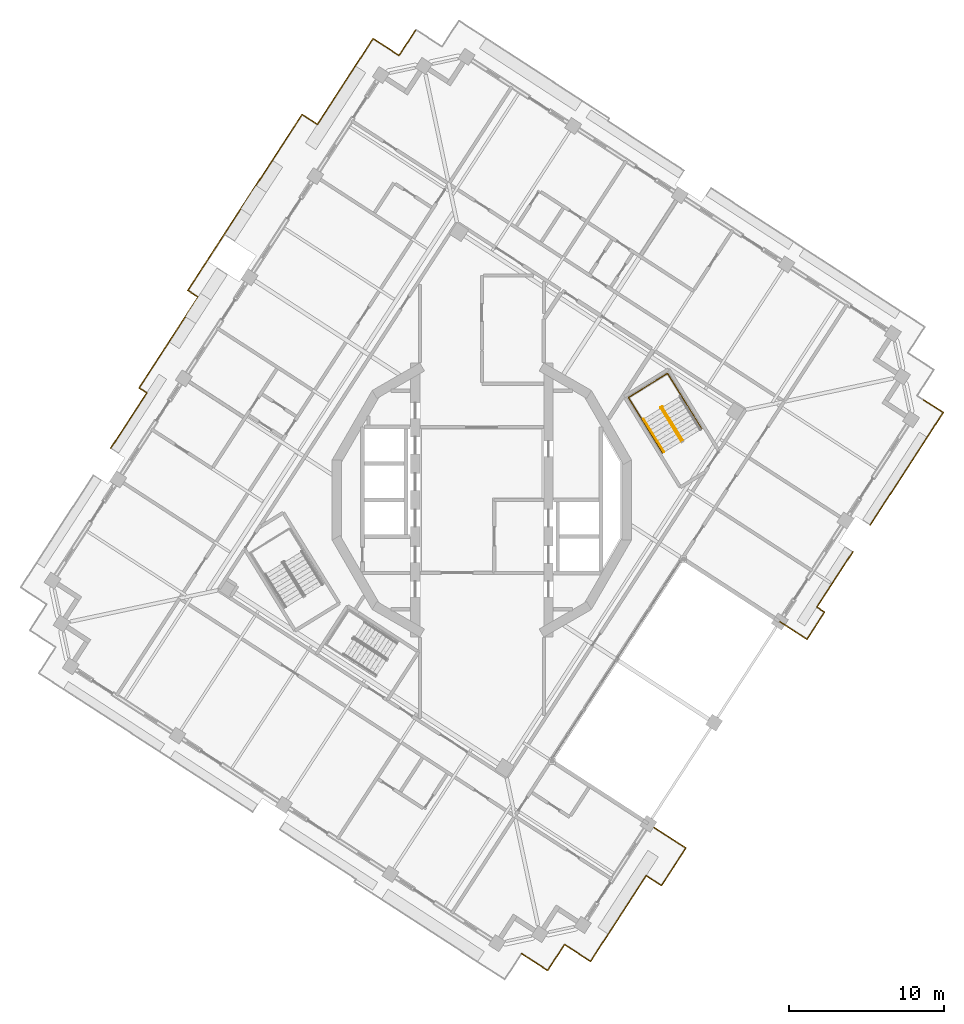
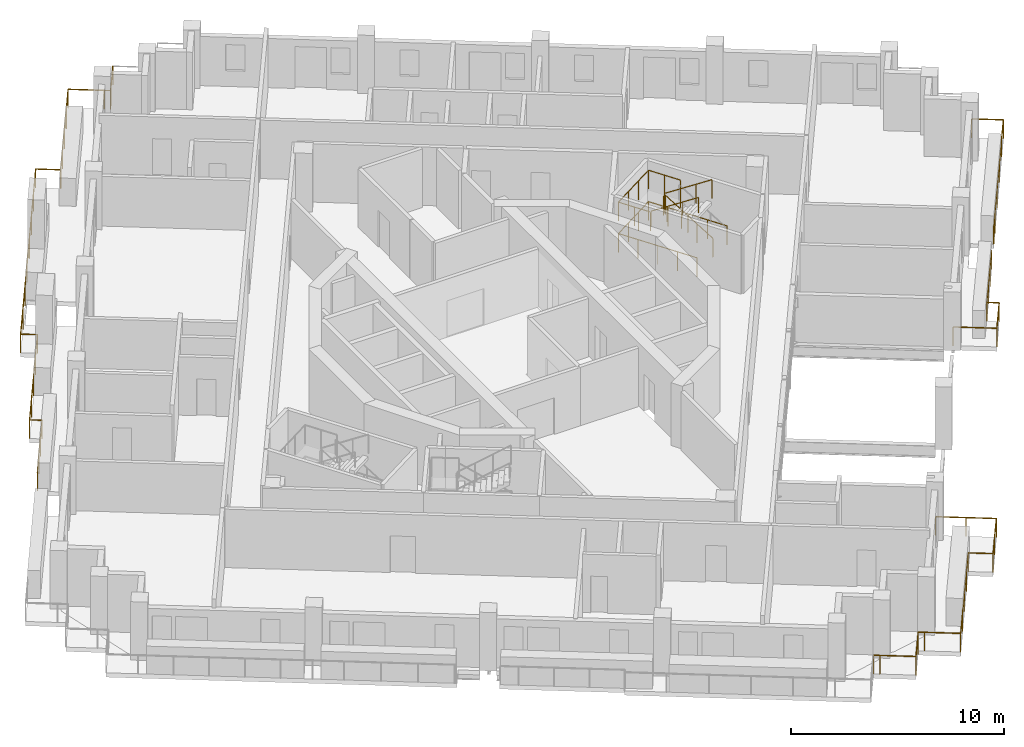
# One storey, part 14 of 17: 10 railings.
"""IFC4 building model written with IfcOpenShell, lengths in metres."""

import ifcopenshell
import ifcopenshell.guid

model = None  # the IFC model being written
_history = None  # IfcOwnerHistory: only IFC2X3 demands one
_inside = {}  # id of a spatial element -> (the spatial element, [elements in it])
_under = {}  # id of a project, library or spatial element -> (it, [spatial elements below it])
_declared = {}  # id of a project -> (the project, [libraries it declares])
_typed = {}  # id of a type object -> (the type object, [elements of that type])
_made_of = {}  # id of a material, layer set ... -> (it, [elements and type objects made of it])


def new_model(schema):
    """Start an empty IFC model of exactly this schema.

    Asked for "IFC4X3", IfcOpenShell would pick the latest addendum, in which some entities
    have other attributes; the version numbers below select the first issue.
    IFC2X3 requires an IfcOwnerHistory on every rooted entity: one is made here for all.
    """
    global model, _history
    if schema == "IFC4X3":
        model = ifcopenshell.file(schema_version=(4, 3, 0, 0))
    else:
        model = ifcopenshell.file(schema=schema)
    _inside.clear()
    _under.clear()
    _declared.clear()
    _typed.clear()
    _made_of.clear()
    _history = None
    if model.schema == "IFC2X3":
        org = make("IfcOrganization", Name="unknown")
        user = make(
            "IfcPersonAndOrganization",
            ThePerson=make("IfcPerson", FamilyName="unknown"),
            TheOrganization=org,
        )
        app = make(
            "IfcApplication",
            ApplicationDeveloper=org,
            Version="unknown",
            ApplicationFullName="unknown",
            ApplicationIdentifier="unknown",
        )
        _history = make(
            "IfcOwnerHistory",
            OwningUser=user,
            OwningApplication=app,
            ChangeAction="ADDED",
            CreationDate=0,
        )
    return model


def make(cls, **values):
    """One entity of the class cls with the attributes given. An attribute that is None is left unset."""
    return model.create_entity(
        cls, **{name: value for name, value in values.items() if value is not None}
    )


def rooted(cls, **values):
    """An entity with a GlobalId (a new one), such as an element, a storey or a relation."""
    return make(cls, GlobalId=ifcopenshell.guid.new(), OwnerHistory=_history, **values)


def si_unit(unit_type, name, prefix=None):
    """IfcSIUnit, for example si_unit("LENGTHUNIT", "METRE", prefix="MILLI")."""
    return make("IfcSIUnit", UnitType=unit_type, Prefix=prefix, Name=name)


def assignment(units):
    """IfcUnitAssignment: the units of a project."""
    return None if units is None else make("IfcUnitAssignment", Units=units)


def point(xyz):
    """IfcCartesianPoint."""
    return None if xyz is None else make("IfcCartesianPoint", Coordinates=xyz)


def direction(xyz):
    """IfcDirection."""
    return None if xyz is None else make("IfcDirection", DirectionRatios=xyz)


def frame(location, z_axis=None, x_axis=None):
    """IfcAxis2Placement3D, a coordinate frame: its origin and axes. An axis left out is left unset."""
    return make(
        "IfcAxis2Placement3D",
        Location=point(location),
        Axis=direction(z_axis),
        RefDirection=direction(x_axis),
    )


def frame_2d(location, x_axis=None):
    """IfcAxis2Placement2D, a coordinate frame in the plane: its origin and x axis."""
    return make(
        "IfcAxis2Placement2D", Location=point(location), RefDirection=direction(x_axis)
    )


def origin():
    """The frame at (0, 0, 0) with its axes left unset."""
    return frame((0.0, 0.0, 0.0))


def origin_2d():
    """The frame at (0, 0) in the plane with its x axis left unset."""
    return frame_2d((0.0, 0.0))


def place(relative_to, where):
    """IfcLocalPlacement: puts the frame where relative to a parent placement (None: the world)."""
    return make(
        "IfcLocalPlacement", PlacementRelTo=relative_to, RelativePlacement=where
    )


def context(
    kind, dimensions, precision=None, world=None, true_north=None, identifier=None
):
    """IfcGeometricRepresentationContext, for example the 3D "Model" context."""
    return make(
        "IfcGeometricRepresentationContext",
        ContextIdentifier=identifier,
        ContextType=kind,
        CoordinateSpaceDimension=dimensions,
        Precision=precision,
        WorldCoordinateSystem=world,
        TrueNorth=true_north,
    )


def subcontext(parent, identifier, kind, view, scale=None):
    """IfcGeometricRepresentationSubContext, for example "Body" below "Model"."""
    return make(
        "IfcGeometricRepresentationSubContext",
        ContextIdentifier=identifier,
        ContextType=kind,
        ParentContext=parent,
        TargetScale=scale,
        TargetView=view,
    )


def project(units=None, contexts=None):
    """IfcProject with its units and contexts."""
    return rooted(
        "IfcProject",
        Name="project",
        RepresentationContexts=contexts,
        UnitsInContext=assignment(units),
    )


def spatial(cls, under=None, at=None, **own):
    """A site, building, storey or space (cls), placed at a placement, below another one or the project."""
    s = rooted(cls, ObjectPlacement=at, **own)
    if under is not None:
        _under.setdefault(under.id(), (under, []))[1].append(s)
    return s


def profile(cls, at=None, kind="AREA", **sizes):
    """A parametric profile (cls). Its sizes go by their IFC names, for example OverallWidth=200.0."""
    return make(cls, ProfileType=kind, Position=at, **sizes)


def circle(**sizes):
    """IfcCircleProfileDef."""
    return profile("IfcCircleProfileDef", **sizes)


def extrude(swept, where, along, depth):
    """IfcExtrudedAreaSolid: the profile swept, set in the frame where, extruded along a direction by depth."""
    return make(
        "IfcExtrudedAreaSolid",
        SweptArea=swept,
        Position=where,
        ExtrudedDirection=direction(along),
        Depth=depth,
    )


def shape(context_of_items, identifier, shape_type, items):
    """IfcShapeRepresentation: the items that make up one representation, for example the "Body"."""
    return make(
        "IfcShapeRepresentation",
        ContextOfItems=context_of_items,
        RepresentationIdentifier=identifier,
        RepresentationType=shape_type,
        Items=items,
    )


def material(Name=None, Category=None):
    """IfcMaterial."""
    return make("IfcMaterial", Name=Name, Category=Category)


def made_of(thing, what):
    """Note that an element or type object is made of a material, layer set ...; save() writes the relation."""
    if what is not None:
        _made_of.setdefault(what.id(), (what, []))[1].append(thing)
    return thing


def type_object(cls, material=None, **own):
    """A type object (cls), such as IfcWallType, which elements share."""
    return made_of(rooted(cls, **own), material)


def element(
    cls,
    number,
    at=None,
    inside=None,
    cuts=None,
    type_object=None,
    material=None,
    context=None,
    identifier="Body",
    shape_type=None,
    held_by="IfcProductDefinitionShape",
    body=None,
    shapes=None,
    **own,
):
    """One element of the class cls, such as IfcWall. Its Tag is "e" and its number.

    at: its placement. inside: the storey or other place that contains it. cuts: it is an
    opening in that element (IfcRelVoidsElement). A single representation is given by context,
    identifier, shape_type and body (its items); several are given by shapes. held_by: the class
    of the entity that holds the representations. save() writes the other relations.
    """
    e = rooted(cls, Tag="e%d" % number, ObjectPlacement=at, **own)
    if body is not None:
        shapes = [shape(context, identifier, shape_type, body)]
    if shapes is not None:
        e.Representation = make(held_by, Representations=shapes)
    if inside is not None:
        _inside.setdefault(inside.id(), (inside, []))[1].append(e)
    if cuts is not None:
        rooted(
            "IfcRelVoidsElement", RelatingBuildingElement=cuts, RelatedOpeningElement=e
        )
    if type_object is not None:
        _typed.setdefault(type_object.id(), (type_object, []))[1].append(e)
    return made_of(e, material)


def aggregate(whole, parts):
    """IfcRelAggregates: a whole, such as a stair, and the parts it consists of."""
    return rooted("IfcRelAggregates", RelatingObject=whole, RelatedObjects=parts)


def save(model, path):
    """Write the relations noted so far, then the file.

    IfcRelAggregates (storeys below a building ...), IfcRelContainedInSpatialStructure (elements
    in a storey), IfcRelDefinesByType, IfcRelAssociatesMaterial and IfcRelDeclares: one each for
    every whole, place, type object, material and project.
    """
    for whole, parts in _under.values():
        aggregate(whole, parts)
    for where, things in _inside.values():
        rooted(
            "IfcRelContainedInSpatialStructure",
            RelatedElements=things,
            RelatingStructure=where,
        )
    for kind, things in _typed.values():
        rooted("IfcRelDefinesByType", RelatedObjects=things, RelatingType=kind)
    for what, things in _made_of.values():
        rooted("IfcRelAssociatesMaterial", RelatedObjects=things, RelatingMaterial=what)
    for by, libraries in _declared.values():
        rooted("IfcRelDeclares", RelatingContext=by, RelatedDefinitions=libraries)
    model.write(path)


model = new_model("IFC4")

# Units and contexts
model_context = context("Model", 3, precision=1e-05, world=origin(), true_north=direction((0.0, 1.0)))
body_context = subcontext(model_context, "Body", "Model", "MODEL_VIEW")
ifc_project = project(units=[si_unit("LENGTHUNIT", "METRE"), si_unit("AREAUNIT", "SQUARE_METRE"), si_unit("VOLUMEUNIT", "CUBIC_METRE"), si_unit("PLANEANGLEUNIT", "RADIAN"), si_unit("MASSUNIT", "GRAM", prefix="KILO")], contexts=[model_context])

# Site, building, storey
site_placement = place(None, origin())
site = spatial("IfcSite", under=ifc_project, at=site_placement, CompositionType="ELEMENT")
building_placement = place(site_placement, origin())
building = spatial("IfcBuilding", under=site, at=building_placement, Name="Cantera Rosa Tower", CompositionType="ELEMENT")
storey_placement = place(building_placement, frame((0.0, 0.0, 257.699951171875)))
storey = spatial("IfcBuildingStorey", under=building, at=storey_placement, Name="L57", CompositionType="ELEMENT", Elevation=257.699951171875)

# Railings
ifc_material_1 = material(Name="Stainless steel and laminated glass", Category="steel")
railing_type_1 = type_object("IfcRailingType", Name="GUARD 1100", PredefinedType="BALUSTRADE", material=ifc_material_1)
railing_1_placement = place(storey_placement, frame((10.769775390625, -20.908935546875, 0.0)))
element("IfcRailing", 1, at=railing_1_placement, inside=storey, type_object=railing_type_1, Name="GUARD L57-2", PredefinedType="BALUSTRADE", context=body_context, shape_type="SweptSolid", body=[
    extrude(circle(Radius=0.030029296875, at=origin_2d()), frame((0.0, 0.0, 1.070068359375), z_axis=(0.838652354322, -0.544667080509, 0.0), x_axis=(0.544667080509, 0.838652354322, 0.0)), (0.0, 0.0, 1.0), 2.8583984375),
    extrude(circle(Radius=0.030029296875, at=origin_2d()), frame((2.397216796875, -1.556884765625, 1.070068359375), z_axis=(-0.544618614837, -0.838683828611, 0.0), x_axis=(0.838683828611, -0.544618614837, 0.0)), (0.0, 0.0, 1.0), 2.87841796875),
    extrude(circle(Radius=0.030029296875, at=origin_2d()), frame((0.82958984375, -3.970947265625, 1.070068359375), z_axis=(-0.838713269942, 0.544573274062, 0.0), x_axis=(-0.544573274062, -0.838713269942, 0.0)), (0.0, 0.0, 1.0), 1.1787109375),
    extrude(circle(Radius=0.030029296875, at=origin_2d()), frame((-0.158935546875, -3.3291015625, 1.070068359375), z_axis=(-0.544636384681, -0.838672289087, 0.0), x_axis=(0.838672289087, -0.544636384681, 0.0)), (0.0, 0.0, 1.0), 4.9013671875),
    extrude(circle(Radius=0.030029296875, at=origin_2d()), frame((-2.828369140625, -7.439697265625, 1.070068359375), z_axis=(-0.544584451758, -0.838706012202, 0.0), x_axis=(0.838706012202, -0.544584451758, 0.0)), (0.0, 0.0, 1.0), 1.699951171875),
    extrude(circle(Radius=0.030029296875, at=origin_2d()), frame((-3.754150390625, -8.865478515625, 1.070068359375), z_axis=(-0.838706012202, 0.544584451758, 0.0), x_axis=(-0.544584451758, -0.838706012202, 0.0)), (0.0, 0.0, 1.0), 1.699951171875),
    extrude(circle(Radius=0.030029296875, at=origin_2d()), frame((-5.179931640625, -7.939697265625, 1.070068359375), z_axis=(-0.838499355694, 0.544902588084, 0.0), x_axis=(-0.544902588084, -0.838499355694, 0.0)), (0.0, 0.0, 1.0), 0.30029296875),
    extrude(circle(Radius=0.030029296875, at=origin_2d()), frame((-5.431640625, -7.776123046875, 1.070068359375), z_axis=(-0.5443304008, -0.838870916629, 0.0), x_axis=(0.838870916629, -0.5443304008, 0.0)), (0.0, 0.0, 1.0), 0.300048828125),
    extrude(circle(Radius=0.030029296875, at=origin_2d()), frame((-5.594970703125, -8.02783203125, 1.070068359375), z_axis=(-0.544685462014, -0.838640416073, 0.0), x_axis=(0.838640416073, -0.544685462014, 0.0)), (0.0, 0.0, 1.0), 1.7001953125),
    extrude(circle(Radius=0.030029296875, at=origin_2d()), frame((-6.52099609375, -9.45361328125, 1.070068359375), z_axis=(-0.83859780397, 0.544751065329, 0.0), x_axis=(-0.544751065329, -0.83859780397, 0.0)), (0.0, 0.0, 1.0), 1.699951171875),
    extrude(circle(Radius=0.030029296875, at=origin_2d()), frame((-7.946533203125, -8.527587890625, 1.070068359375), z_axis=(-0.838870916629, 0.5443304008, 0.0), x_axis=(-0.5443304008, -0.838870916629, 0.0)), (0.0, 0.0, 1.0), 0.300048828125),
    extrude(circle(Radius=0.02490234375, at=origin_2d()), origin(), (0.0, 0.0, 1.0), 1.0400390625),
    extrude(circle(Radius=0.02490234375, at=origin_2d()), frame((1.19873046875, -0.7783203125, 0.0)), (0.0, 0.0, 1.0), 1.0400390625),
    extrude(circle(Radius=0.02490234375, at=origin_2d()), frame((2.397216796875, -1.556884765625, 0.0)), (0.0, 0.0, 1.0), 1.0400390625),
    extrude(circle(Radius=0.02490234375, at=origin_2d()), frame((1.61328125, -2.763916015625, 0.0)), (0.0, 0.0, 1.0), 1.0400390625),
    extrude(circle(Radius=0.02490234375, at=origin_2d()), frame((0.82958984375, -3.970947265625, 0.0)), (0.0, 0.0, 1.0), 1.0400390625),
    extrude(circle(Radius=0.02490234375, at=origin_2d()), frame((-0.158935546875, -3.3291015625, 0.0)), (0.0, 0.0, 1.0), 1.0400390625),
    extrude(circle(Radius=0.02490234375, at=origin_2d()), frame((-1.048828125, -4.69921875, 0.0)), (0.0, 0.0, 1.0), 1.0400390625),
    extrude(circle(Radius=0.02490234375, at=origin_2d()), frame((-1.9384765625, -6.069580078125, 0.0)), (0.0, 0.0, 1.0), 1.0400390625),
    extrude(circle(Radius=0.02490234375, at=origin_2d()), frame((-2.828369140625, -7.439697265625, 0.0)), (0.0, 0.0, 1.0), 1.0400390625),
    extrude(circle(Radius=0.02490234375, at=origin_2d()), frame((-3.754150390625, -8.865478515625, 0.0)), (0.0, 0.0, 1.0), 1.0400390625),
    extrude(circle(Radius=0.02490234375, at=origin_2d()), frame((-5.179931640625, -7.939697265625, 0.0)), (0.0, 0.0, 1.0), 1.0400390625),
    extrude(circle(Radius=0.02490234375, at=origin_2d()), frame((-5.431640625, -7.776123046875, 0.0)), (0.0, 0.0, 1.0), 1.0400390625),
    extrude(circle(Radius=0.02490234375, at=origin_2d()), frame((-5.594970703125, -8.02783203125, 0.0)), (0.0, 0.0, 1.0), 1.0400390625),
    extrude(circle(Radius=0.02490234375, at=origin_2d()), frame((-6.52099609375, -9.45361328125, 0.0)), (0.0, 0.0, 1.0), 1.0400390625),
    extrude(circle(Radius=0.02490234375, at=origin_2d()), frame((-7.946533203125, -8.527587890625, 0.0)), (0.0, 0.0, 1.0), 1.0400390625),
    extrude(circle(Radius=0.02490234375, at=origin_2d()), frame((-8.1982421875, -8.3642578125, 0.0)), (0.0, 0.0, 1.0), 1.0400390625),
])
railing_2_placement = place(storey_placement, frame((-23.945556640625, 3.340576171875, 0.0)))
element("IfcRailing", 2, at=railing_2_placement, inside=storey, type_object=railing_type_1, Name="GUARD L57-6", PredefinedType="BALUSTRADE", context=body_context, shape_type="SweptSolid", body=[
    extrude(circle(Radius=0.030029296875, at=origin_2d()), frame((0.0, 0.0, 1.070068359375), z_axis=(0.544623762795, 0.838680485643, 0.0), x_axis=(-0.838680485643, 0.544623762795, 0.0)), (0.0, 0.0, 1.0), 4.2607421875),
    extrude(circle(Radius=0.030029296875, at=origin_2d()), frame((2.320556640625, 3.573486328125, 1.070068359375), z_axis=(-0.838643050361, 0.544681406035, 0.0), x_axis=(-0.544681406035, -0.838643050361, 0.0)), (0.0, 0.0, 1.0), 0.587158203125),
    extrude(circle(Radius=0.030029296875, at=origin_2d()), frame((1.828125, 3.893310546875, 1.070068359375), z_axis=(0.544642131543, 0.838668557029, 0.0), x_axis=(-0.838668557029, 0.544642131543, 0.0)), (0.0, 0.0, 1.0), 6.990478515625),
    extrude(circle(Radius=0.030029296875, at=origin_2d()), frame((5.635498046875, 9.756103515625, 1.070068359375), z_axis=(-0.838697885351, 0.54459696759, 0.0), x_axis=(-0.54459696759, -0.838697885351, 0.0)), (0.0, 0.0, 1.0), 0.78955078125),
    extrude(circle(Radius=0.030029296875, at=origin_2d()), frame((4.973388671875, 10.18603515625, 1.070068359375), z_axis=(0.54463394438, 0.83867387382, 0.0), x_axis=(-0.83867387382, 0.54463394438, 0.0)), (0.0, 0.0, 1.0), 13.537109375),
    extrude(circle(Radius=0.030029296875, at=origin_2d()), frame((12.34619140625, 21.539306640625, 1.070068359375), z_axis=(0.838713269942, -0.544573274062, 0.0), x_axis=(0.544573274062, 0.838713269942, 0.0)), (0.0, 0.0, 1.0), 1.1787109375),
    extrude(circle(Radius=0.030029296875, at=origin_2d()), frame((13.334716796875, 20.8974609375, 1.070068359375), z_axis=(0.544636384681, 0.838672289087, 0.0), x_axis=(-0.838672289087, 0.544636384681, 0.0)), (0.0, 0.0, 1.0), 4.9013671875),
    extrude(circle(Radius=0.030029296875, at=origin_2d()), frame((16.004150390625, 25.008056640625, 1.070068359375), z_axis=(0.544584451758, 0.838706012202, 0.0), x_axis=(-0.838706012202, 0.544584451758, 0.0)), (0.0, 0.0, 1.0), 1.699951171875),
    extrude(circle(Radius=0.030029296875, at=origin_2d()), frame((16.929931640625, 26.433837890625, 1.070068359375), z_axis=(0.838706012202, -0.544584451758, 0.0), x_axis=(0.544584451758, 0.838706012202, 0.0)), (0.0, 0.0, 1.0), 1.699951171875),
    extrude(circle(Radius=0.030029296875, at=origin_2d()), frame((18.355712890625, 25.508056640625, 1.070068359375), z_axis=(0.838499355694, -0.544902588084, 0.0), x_axis=(0.544902588084, 0.838499355694, 0.0)), (0.0, 0.0, 1.0), 0.30029296875),
    extrude(circle(Radius=0.030029296875, at=origin_2d()), frame((18.607421875, 25.344482421875, 1.070068359375), z_axis=(0.5443304008, 0.838870916629, 0.0), x_axis=(-0.838870916629, 0.5443304008, 0.0)), (0.0, 0.0, 1.0), 0.300048828125),
    extrude(circle(Radius=0.030029296875, at=origin_2d()), frame((18.770751953125, 25.59619140625, 1.070068359375), z_axis=(0.544685462014, 0.838640416073, 0.0), x_axis=(-0.838640416073, 0.544685462014, 0.0)), (0.0, 0.0, 1.0), 1.7001953125),
    extrude(circle(Radius=0.02490234375, at=origin_2d()), origin(), (0.0, 0.0, 1.0), 1.0400390625),
    extrude(circle(Radius=0.02490234375, at=origin_2d()), frame((0.7734375, 1.191162109375, 0.0)), (0.0, 0.0, 1.0), 1.0400390625),
    extrude(circle(Radius=0.02490234375, at=origin_2d()), frame((1.547119140625, 2.38232421875, 0.0)), (0.0, 0.0, 1.0), 1.0400390625),
    extrude(circle(Radius=0.02490234375, at=origin_2d()), frame((2.320556640625, 3.573486328125, 0.0)), (0.0, 0.0, 1.0), 1.0400390625),
    extrude(circle(Radius=0.02490234375, at=origin_2d()), frame((1.828125, 3.893310546875, 0.0)), (0.0, 0.0, 1.0), 1.0400390625),
    extrude(circle(Radius=0.02490234375, at=origin_2d()), frame((2.780029296875, 5.35888671875, 0.0)), (0.0, 0.0, 1.0), 1.0400390625),
    extrude(circle(Radius=0.02490234375, at=origin_2d()), frame((3.73193359375, 6.82470703125, 0.0)), (0.0, 0.0, 1.0), 1.0400390625),
    extrude(circle(Radius=0.02490234375, at=origin_2d()), frame((4.68359375, 8.29052734375, 0.0)), (0.0, 0.0, 1.0), 1.0400390625),
    extrude(circle(Radius=0.02490234375, at=origin_2d()), frame((5.635498046875, 9.756103515625, 0.0)), (0.0, 0.0, 1.0), 1.0400390625),
    extrude(circle(Radius=0.02490234375, at=origin_2d()), frame((4.973388671875, 10.18603515625, 0.0)), (0.0, 0.0, 1.0), 1.0400390625),
    extrude(circle(Radius=0.02490234375, at=origin_2d()), frame((6.026611328125, 11.807861328125, 0.0)), (0.0, 0.0, 1.0), 1.0400390625),
    extrude(circle(Radius=0.02490234375, at=origin_2d()), frame((7.079833984375, 13.429931640625, 0.0)), (0.0, 0.0, 1.0), 1.0400390625),
    extrude(circle(Radius=0.02490234375, at=origin_2d()), frame((8.133056640625, 15.0517578125, 0.0)), (0.0, 0.0, 1.0), 1.0400390625),
    extrude(circle(Radius=0.02490234375, at=origin_2d()), frame((9.1865234375, 16.673583984375, 0.0)), (0.0, 0.0, 1.0), 1.0400390625),
    extrude(circle(Radius=0.02490234375, at=origin_2d()), frame((10.23974609375, 18.29541015625, 0.0)), (0.0, 0.0, 1.0), 1.0400390625),
    extrude(circle(Radius=0.02490234375, at=origin_2d()), frame((11.29296875, 19.91748046875, 0.0)), (0.0, 0.0, 1.0), 1.0400390625),
    extrude(circle(Radius=0.02490234375, at=origin_2d()), frame((12.34619140625, 21.539306640625, 0.0)), (0.0, 0.0, 1.0), 1.0400390625),
    extrude(circle(Radius=0.02490234375, at=origin_2d()), frame((13.334716796875, 20.8974609375, 0.0)), (0.0, 0.0, 1.0), 1.0400390625),
    extrude(circle(Radius=0.02490234375, at=origin_2d()), frame((14.224609375, 22.267578125, 0.0)), (0.0, 0.0, 1.0), 1.0400390625),
    extrude(circle(Radius=0.02490234375, at=origin_2d()), frame((15.1142578125, 23.637939453125, 0.0)), (0.0, 0.0, 1.0), 1.0400390625),
    extrude(circle(Radius=0.02490234375, at=origin_2d()), frame((16.004150390625, 25.008056640625, 0.0)), (0.0, 0.0, 1.0), 1.0400390625),
    extrude(circle(Radius=0.02490234375, at=origin_2d()), frame((16.929931640625, 26.433837890625, 0.0)), (0.0, 0.0, 1.0), 1.0400390625),
    extrude(circle(Radius=0.02490234375, at=origin_2d()), frame((18.355712890625, 25.508056640625, 0.0)), (0.0, 0.0, 1.0), 1.0400390625),
    extrude(circle(Radius=0.02490234375, at=origin_2d()), frame((18.607421875, 25.344482421875, 0.0)), (0.0, 0.0, 1.0), 1.0400390625),
    extrude(circle(Radius=0.02490234375, at=origin_2d()), frame((18.770751953125, 25.59619140625, 0.0)), (0.0, 0.0, 1.0), 1.0400390625),
    extrude(circle(Radius=0.02490234375, at=origin_2d()), frame((19.69677734375, 27.02197265625, 0.0)), (0.0, 0.0, 1.0), 1.0400390625),
])
railing_3_placement = place(storey_placement, frame((22.117431640625, -7.23388671875, 0.0)))
element("IfcRailing", 3, at=railing_3_placement, inside=storey, type_object=railing_type_1, Name="GUARD L57-7", PredefinedType="BALUSTRADE", context=body_context, shape_type="SweptSolid", body=[
    extrude(circle(Radius=0.030029296875, at=origin_2d()), frame((0.0, 0.0, 1.070068359375), z_axis=(-0.54457341618, -0.838713177666, 0.0), x_axis=(0.838713177666, -0.54457341618, 0.0)), (0.0, 0.0, 1.0), 2.089111328125),
    extrude(circle(Radius=0.030029296875, at=origin_2d()), frame((-1.1376953125, -1.752197265625, 1.070068359375), z_axis=(-0.8386699844, 0.544639933595, 0.0), x_axis=(-0.544639933595, -0.8386699844, 0.0)), (0.0, 0.0, 1.0), 2.069091796875),
    extrude(circle(Radius=0.02490234375, at=origin_2d()), origin(), (0.0, 0.0, 1.0), 1.0400390625),
    extrude(circle(Radius=0.02490234375, at=origin_2d()), frame((-1.1376953125, -1.752197265625, 0.0)), (0.0, 0.0, 1.0), 1.0400390625),
    extrude(circle(Radius=0.02490234375, at=origin_2d()), frame((-2.873046875, -0.625244140625, 0.0)), (0.0, 0.0, 1.0), 1.0400390625),
])
railing_4_placement = place(storey_placement, frame((23.945556640625, -3.340576171875, 0.0)))
element("IfcRailing", 4, at=railing_4_placement, inside=storey, type_object=railing_type_1, Name="GUARD L57-8", PredefinedType="BALUSTRADE", context=body_context, shape_type="SweptSolid", body=[
    extrude(circle(Radius=0.030029296875, at=origin_2d()), frame((0.0, 0.0, 1.070068359375), z_axis=(-0.544623762795, -0.838680485643, 0.0), x_axis=(0.838680485643, -0.544623762795, 0.0)), (0.0, 0.0, 1.0), 4.2607421875),
    extrude(circle(Radius=0.030029296875, at=origin_2d()), frame((-2.320556640625, -3.573486328125, 1.070068359375), z_axis=(0.838643050361, -0.544681406035, 0.0), x_axis=(0.544681406035, 0.838643050361, 0.0)), (0.0, 0.0, 1.0), 0.587158203125),
    extrude(circle(Radius=0.02490234375, at=origin_2d()), origin(), (0.0, 0.0, 1.0), 1.0400390625),
    extrude(circle(Radius=0.02490234375, at=origin_2d()), frame((-0.7734375, -1.191162109375, 0.0)), (0.0, 0.0, 1.0), 1.0400390625),
    extrude(circle(Radius=0.02490234375, at=origin_2d()), frame((-1.547119140625, -2.38232421875, 0.0)), (0.0, 0.0, 1.0), 1.0400390625),
    extrude(circle(Radius=0.02490234375, at=origin_2d()), frame((-2.320556640625, -3.573486328125, 0.0)), (0.0, 0.0, 1.0), 1.0400390625),
    extrude(circle(Radius=0.02490234375, at=origin_2d()), frame((-1.828125, -3.893310546875, 0.0)), (0.0, 0.0, 1.0), 1.0400390625),
])
railing_5_placement = place(storey_placement, frame((28.51904296875, 6.45947265625, 0.0)))
element("IfcRailing", 5, at=railing_5_placement, inside=storey, type_object=railing_type_1, Name="GUARD L57-9", PredefinedType="BALUSTRADE", context=body_context, shape_type="SweptSolid", body=[
    extrude(circle(Radius=0.030029296875, at=origin_2d()), frame((0.0, 0.0, 1.070068359375), z_axis=(0.8387001057, -0.544593548161, 0.0), x_axis=(0.544593548161, 0.8387001057, 0.0)), (0.0, 0.0, 1.0), 1.5),
    extrude(circle(Radius=0.030029296875, at=origin_2d()), frame((1.258056640625, -0.81689453125, 1.070068359375), z_axis=(-0.544593548161, -0.8387001057, 0.0), x_axis=(0.8387001057, -0.544593548161, 0.0)), (0.0, 0.0, 1.0), 1.5),
    extrude(circle(Radius=0.030029296875, at=origin_2d()), frame((0.441162109375, -2.074951171875, 1.070068359375), z_axis=(-0.544645228423, -0.838666545867, 0.0), x_axis=(0.838666545867, -0.544645228423, 0.0)), (0.0, 0.0, 1.0), 6.2783203125),
    extrude(circle(Radius=0.030029296875, at=origin_2d()), frame((-2.978271484375, -7.34033203125, 1.070068359375), z_axis=(0.832050294338, -0.554700196225, 0.0), x_axis=(0.554700196225, 0.832050294338, 0.0)), (0.0, 0.0, 1.0), 0.001708984375),
    extrude(circle(Radius=0.030029296875, at=origin_2d()), frame((-2.976806640625, -7.34130859375, 1.070068359375), z_axis=(-0.544643812911, -0.838667465124, 0.0), x_axis=(0.838667465124, -0.544643812911, 0.0)), (0.0, 0.0, 1.0), 0.871826171875),
    extrude(circle(Radius=0.02490234375, at=origin_2d()), origin(), (0.0, 0.0, 1.0), 1.0400390625),
    extrude(circle(Radius=0.02490234375, at=origin_2d()), frame((1.258056640625, -0.81689453125, 0.0)), (0.0, 0.0, 1.0), 1.0400390625),
    extrude(circle(Radius=0.02490234375, at=origin_2d()), frame((0.441162109375, -2.074951171875, 0.0)), (0.0, 0.0, 1.0), 1.0400390625),
    extrude(circle(Radius=0.02490234375, at=origin_2d()), frame((-0.69873046875, -3.830078125, 0.0)), (0.0, 0.0, 1.0), 1.0400390625),
    extrude(circle(Radius=0.02490234375, at=origin_2d()), frame((-1.83837890625, -5.585205078125, 0.0)), (0.0, 0.0, 1.0), 1.0400390625),
    extrude(circle(Radius=0.02490234375, at=origin_2d()), frame((-2.978271484375, -7.34033203125, 0.0)), (0.0, 0.0, 1.0), 1.0400390625),
    extrude(circle(Radius=0.02490234375, at=origin_2d()), frame((-2.976806640625, -7.34130859375, 0.0)), (0.0, 0.0, 1.0), 1.0400390625),
    extrude(circle(Radius=0.02490234375, at=origin_2d()), frame((-3.45166015625, -8.072509765625, 0.0)), (0.0, 0.0, 1.0), 1.0400390625),
])
ifc_material_2 = material(Name="Steel S355J2 (EN 10025-2)", Category="steel")
railing_type_2 = type_object("IfcRailingType", Name="STAIR GUARD 1100", PredefinedType="GUARDRAIL", material=ifc_material_2)
railing_6_placement = place(storey_placement, frame((12.9765625, 3.834228515625, 0.179931640625)))
element("IfcRailing", 6, at=railing_6_placement, inside=storey, type_object=railing_type_2, Name="L57 ST-51 stair guard 1", PredefinedType="GUARDRAIL", context=body_context, shape_type="SweptSolid", body=[
    extrude(circle(Radius=0.02392578125, at=origin_2d()), frame((0.0, 0.0, 1.076171875), z_axis=(-0.44154346381, 0.715939337315, 0.540805172729), x_axis=(-0.851145618652, -0.524929648476, 0.0)), (0.0, 0.0, 1.0), 2.995849609375),
    extrude(circle(Radius=0.02392578125, at=origin_2d()), frame((-1.32275390625, 2.144775390625, 2.6962890625), z_axis=(-0.073711968402, 0.997279572494, 0.0), x_axis=(-0.997279572494, -0.073711968402, 0.0)), (0.0, 0.0, 1.0), 0.056396484375),
    extrude(circle(Radius=0.02392578125, at=origin_2d()), frame((-1.326904296875, 2.200927734375, 2.6962890625), z_axis=(-0.851546489876, -0.524279100842, 0.0), x_axis=(0.524279100842, -0.851546489876, 0.0)), (0.0, 0.0, 1.0), 0.14990234375),
    extrude(circle(Radius=0.02099609375, at=origin_2d()), origin(), (0.0, 0.0, 1.0), 1.052001953125),
    extrude(circle(Radius=0.02099609375, at=origin_2d()), frame((-0.44091796875, 0.71484375, 0.5400390625)), (0.0, 0.0, 1.0), 1.052001953125),
    extrude(circle(Radius=0.02099609375, at=origin_2d()), frame((-0.8818359375, 1.429931640625, 1.080078125)), (0.0, 0.0, 1.0), 1.052001953125),
    extrude(circle(Radius=0.02099609375, at=origin_2d()), frame((-1.32275390625, 2.144775390625, 1.6201171875)), (0.0, 0.0, 1.0), 1.052001953125),
    extrude(circle(Radius=0.02099609375, at=origin_2d()), frame((-1.326904296875, 2.200927734375, 1.6201171875)), (0.0, 0.0, 1.0), 1.052001953125),
    extrude(circle(Radius=0.02099609375, at=origin_2d()), frame((-1.45458984375, 2.122314453125, 1.6201171875)), (0.0, 0.0, 1.0), 1.052001953125),
])
railing_7_placement = place(storey_placement, frame((11.5703125, 5.927490234375, 1.97998046875)))
element("IfcRailing", 7, at=railing_7_placement, inside=storey, type_object=railing_type_2, Name="L57 ST-51 stair guard 2", PredefinedType="GUARDRAIL", context=body_context, shape_type="SweptSolid", body=[
    extrude(circle(Radius=0.02392578125, at=origin_2d()), frame((0.0, 0.0, 1.076171875), z_axis=(0.441609067481, -0.715913574058, 0.540785711718), x_axis=(0.851102330005, 0.524999832248, 0.0)), (0.0, 0.0, 1.0), 2.995849609375),
    extrude(circle(Radius=0.02099609375, at=origin_2d()), origin(), (0.0, 0.0, 1.0), 1.052001953125),
    extrude(circle(Radius=0.02099609375, at=origin_2d()), frame((0.44091796875, -0.71484375, 0.5400390625)), (0.0, 0.0, 1.0), 1.052001953125),
    extrude(circle(Radius=0.02099609375, at=origin_2d()), frame((0.882080078125, -1.429931640625, 1.080078125)), (0.0, 0.0, 1.0), 1.052001953125),
    extrude(circle(Radius=0.02099609375, at=origin_2d()), frame((1.322998046875, -2.144775390625, 1.6201171875)), (0.0, 0.0, 1.0), 1.052001953125),
])
railing_8_placement = place(storey_placement, frame((14.192626953125, 4.59814453125, 0.0)))
element("IfcRailing", 8, at=railing_8_placement, inside=storey, type_object=railing_type_2, Name="L57 ST-51 stair guard 4", PredefinedType="GUARDRAIL", context=body_context, shape_type="SweptSolid", body=[
    extrude(circle(Radius=0.02392578125, at=origin_2d()), frame((0.0, 0.0, 1.076171875), z_axis=(-0.524976478809, 0.851116735059, 0.0), x_axis=(-0.851116735059, -0.524976478809, 0.0)), (0.0, 0.0, 1.0), 4.197998046875),
    extrude(circle(Radius=0.02392578125, at=origin_2d()), frame((-2.203857421875, 3.572998046875, 1.076171875), z_axis=(-0.851132917336, -0.524950242429, 0.0), x_axis=(0.524950242429, -0.851132917336, 0.0)), (0.0, 0.0, 1.0), 2.969970703125),
    extrude(circle(Radius=0.02392578125, at=origin_2d()), frame((-4.731689453125, 2.013916015625, 1.076171875), z_axis=(0.524976478809, -0.851116735059, 0.0), x_axis=(0.851116735059, 0.524976478809, 0.0)), (0.0, 0.0, 1.0), 4.197998046875),
    extrude(circle(Radius=0.02099609375, at=origin_2d()), origin(), (0.0, 0.0, 1.0), 1.052001953125),
    extrude(circle(Radius=0.02099609375, at=origin_2d()), frame((-0.551025390625, 0.893310546875, 0.0)), (0.0, 0.0, 1.0), 1.052001953125),
    extrude(circle(Radius=0.02099609375, at=origin_2d()), frame((-1.10205078125, 1.78662109375, 0.0)), (0.0, 0.0, 1.0), 1.052001953125),
    extrude(circle(Radius=0.02099609375, at=origin_2d()), frame((-1.65283203125, 2.6796875, 0.0)), (0.0, 0.0, 1.0), 1.052001953125),
    extrude(circle(Radius=0.02099609375, at=origin_2d()), frame((-2.203857421875, 3.572998046875, 0.0)), (0.0, 0.0, 1.0), 1.052001953125),
    extrude(circle(Radius=0.02099609375, at=origin_2d()), frame((-3.04638671875, 3.05322265625, 0.0)), (0.0, 0.0, 1.0), 1.052001953125),
    extrude(circle(Radius=0.02099609375, at=origin_2d()), frame((-3.88916015625, 2.53369140625, 0.0)), (0.0, 0.0, 1.0), 1.052001953125),
    extrude(circle(Radius=0.02099609375, at=origin_2d()), frame((-4.731689453125, 2.013916015625, 0.0)), (0.0, 0.0, 1.0), 1.052001953125),
    extrude(circle(Radius=0.02099609375, at=origin_2d()), frame((-4.1806640625, 1.12060546875, 0.0)), (0.0, 0.0, 1.0), 1.052001953125),
    extrude(circle(Radius=0.02099609375, at=origin_2d()), frame((-3.6298828125, 0.2275390625, 0.0)), (0.0, 0.0, 1.0), 1.052001953125),
    extrude(circle(Radius=0.02099609375, at=origin_2d()), frame((-3.078857421875, -0.665771484375, 0.0)), (0.0, 0.0, 1.0), 1.052001953125),
    extrude(circle(Radius=0.02099609375, at=origin_2d()), frame((-2.52783203125, -1.55908203125, 0.0)), (0.0, 0.0, 1.0), 1.052001953125),
])
railing_9_placement = place(storey_placement, frame((12.88232421875, 6.72265625, 1.800048828125)))
element("IfcRailing", 9, at=railing_9_placement, inside=storey, type_object=railing_type_2, Name="L57 ST-51 stair guard 5", PredefinedType="GUARDRAIL", context=body_context, shape_type="SweptSolid", body=[
    extrude(circle(Radius=0.02392578125, at=origin_2d()), frame((0.0, 0.0, 1.076171875), z_axis=(-0.525025534833, 0.851086474909, 0.0), x_axis=(-0.851086474909, -0.525025534833, 0.0)), (0.0, 0.0, 1.0), 1.701904296875),
    extrude(circle(Radius=0.02392578125, at=origin_2d()), frame((-0.8935546875, 1.448486328125, 1.076171875), z_axis=(-0.851132917336, -0.524950242429, 0.0), x_axis=(0.524950242429, -0.851132917336, 0.0)), (0.0, 0.0, 1.0), 2.969970703125),
    extrude(circle(Radius=0.02392578125, at=origin_2d()), frame((-3.42138671875, -0.110595703125, 1.076171875), z_axis=(0.524961441845, -0.851126009811, 0.0), x_axis=(0.851126009811, 0.524961441845, 0.0)), (0.0, 0.0, 1.0), 1.7021484375),
    extrude(circle(Radius=0.02099609375, at=origin_2d()), origin(), (0.0, 0.0, 1.0), 1.052001953125),
    extrude(circle(Radius=0.02099609375, at=origin_2d()), frame((-0.44677734375, 0.72412109375, 0.0)), (0.0, 0.0, 1.0), 1.052001953125),
    extrude(circle(Radius=0.02099609375, at=origin_2d()), frame((-0.8935546875, 1.448486328125, 0.0)), (0.0, 0.0, 1.0), 1.052001953125),
    extrude(circle(Radius=0.02099609375, at=origin_2d()), frame((-1.736083984375, 0.9287109375, 0.0)), (0.0, 0.0, 1.0), 1.052001953125),
    extrude(circle(Radius=0.02099609375, at=origin_2d()), frame((-2.578857421875, 0.4091796875, 0.0)), (0.0, 0.0, 1.0), 1.052001953125),
    extrude(circle(Radius=0.02099609375, at=origin_2d()), frame((-3.42138671875, -0.110595703125, 0.0)), (0.0, 0.0, 1.0), 1.052001953125),
    extrude(circle(Radius=0.02099609375, at=origin_2d()), frame((-2.974609375, -0.8349609375, 0.0)), (0.0, 0.0, 1.0), 1.052001953125),
    extrude(circle(Radius=0.02099609375, at=origin_2d()), frame((-2.52783203125, -1.559326171875, 0.0)), (0.0, 0.0, 1.0), 1.052001953125),
])
ifc_material_3 = material(Name="Steel S355J2 (EN 10025-2)", Category="steel")
railing_type_3 = type_object("IfcRailingType", Name="STAIR HANDRAIL 900", PredefinedType="HANDRAIL", material=ifc_material_3)
railing_10_placement = place(storey_placement, frame((10.441650390625, 5.2314453125, 1.97998046875)))
element("IfcRailing", 10, at=railing_10_placement, inside=storey, type_object=railing_type_3, Name="L57 ST-51 stair handrail 2", PredefinedType="HANDRAIL", context=body_context, shape_type="SweptSolid", body=[
    extrude(circle(Radius=0.02392578125, at=origin_2d()), frame((0.0, 0.0, 0.8759765625), z_axis=(0.441609067481, -0.715913574058, 0.540785711718), x_axis=(0.851102330005, 0.524999832248, 0.0)), (0.0, 0.0, 1.0), 2.995849609375),
    extrude(circle(Radius=0.02099609375, at=origin_2d()), origin(), (0.0, 0.0, 1.0), 0.851806640625),
    extrude(circle(Radius=0.02099609375, at=origin_2d()), frame((0.44091796875, -0.71484375, 0.5400390625)), (0.0, 0.0, 1.0), 0.851806640625),
    extrude(circle(Radius=0.02099609375, at=origin_2d()), frame((0.882080078125, -1.429931640625, 1.080078125)), (0.0, 0.0, 1.0), 0.851806640625),
    extrude(circle(Radius=0.02099609375, at=origin_2d()), frame((1.322998046875, -2.144775390625, 1.6201171875)), (0.0, 0.0, 1.0), 0.851806640625),
])

save(model, "model.ifc")
